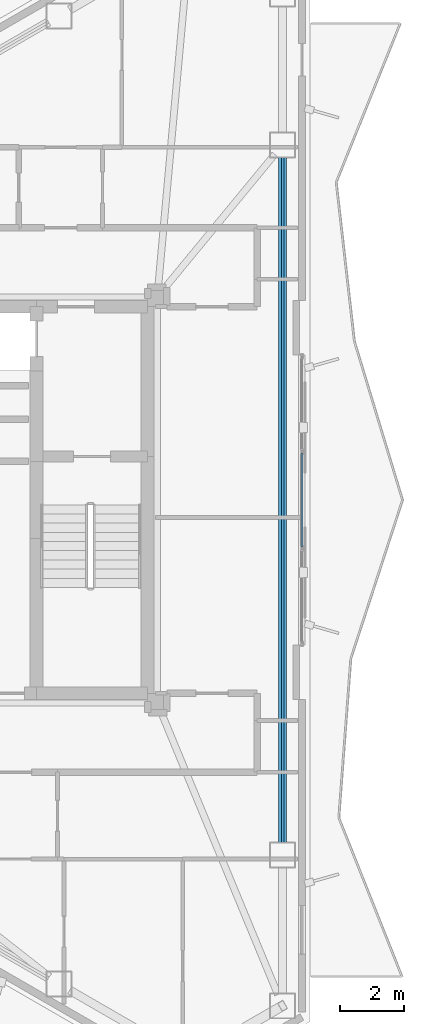
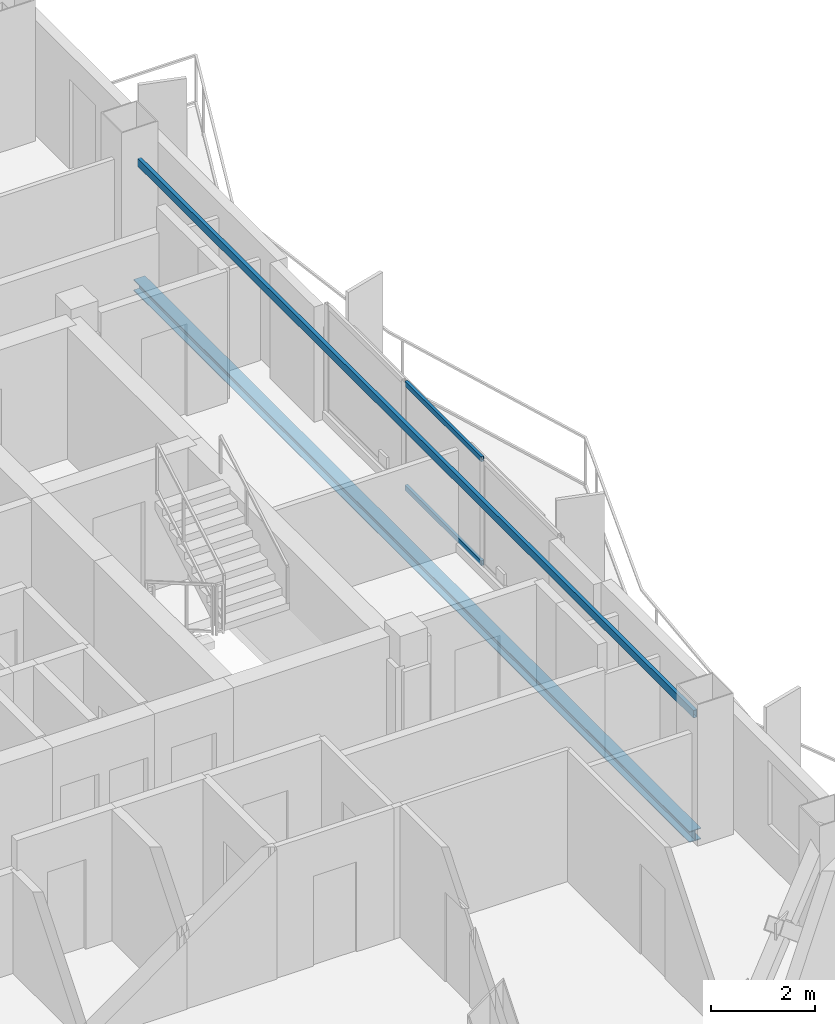
# One storey, part 12 of 22: 2 beams, 2 members, 1 element without a shape of its own.
"""IFC4 building model written with IfcOpenShell, lengths in metres."""

import ifcopenshell
import ifcopenshell.guid

model = None  # the IFC model being written
_history = None  # IfcOwnerHistory: only IFC2X3 demands one
_inside = {}  # id of a spatial element -> (the spatial element, [elements in it])
_under = {}  # id of a project, library or spatial element -> (it, [spatial elements below it])
_declared = {}  # id of a project -> (the project, [libraries it declares])
_typed = {}  # id of a type object -> (the type object, [elements of that type])
_made_of = {}  # id of a material, layer set ... -> (it, [elements and type objects made of it])


def new_model(schema):
    """Start an empty IFC model of exactly this schema.

    Asked for "IFC4X3", IfcOpenShell would pick the latest addendum, in which some entities
    have other attributes; the version numbers below select the first issue.
    IFC2X3 requires an IfcOwnerHistory on every rooted entity: one is made here for all.
    """
    global model, _history
    if schema == "IFC4X3":
        model = ifcopenshell.file(schema_version=(4, 3, 0, 0))
    else:
        model = ifcopenshell.file(schema=schema)
    _inside.clear()
    _under.clear()
    _declared.clear()
    _typed.clear()
    _made_of.clear()
    _history = None
    if model.schema == "IFC2X3":
        org = make("IfcOrganization", Name="unknown")
        user = make(
            "IfcPersonAndOrganization",
            ThePerson=make("IfcPerson", FamilyName="unknown"),
            TheOrganization=org,
        )
        app = make(
            "IfcApplication",
            ApplicationDeveloper=org,
            Version="unknown",
            ApplicationFullName="unknown",
            ApplicationIdentifier="unknown",
        )
        _history = make(
            "IfcOwnerHistory",
            OwningUser=user,
            OwningApplication=app,
            ChangeAction="ADDED",
            CreationDate=0,
        )
    return model


def make(cls, **values):
    """One entity of the class cls with the attributes given. An attribute that is None is left unset."""
    return model.create_entity(
        cls, **{name: value for name, value in values.items() if value is not None}
    )


def rooted(cls, **values):
    """An entity with a GlobalId (a new one), such as an element, a storey or a relation."""
    return make(cls, GlobalId=ifcopenshell.guid.new(), OwnerHistory=_history, **values)


def si_unit(unit_type, name, prefix=None):
    """IfcSIUnit, for example si_unit("LENGTHUNIT", "METRE", prefix="MILLI")."""
    return make("IfcSIUnit", UnitType=unit_type, Prefix=prefix, Name=name)


def assignment(units):
    """IfcUnitAssignment: the units of a project."""
    return None if units is None else make("IfcUnitAssignment", Units=units)


def point(xyz):
    """IfcCartesianPoint."""
    return None if xyz is None else make("IfcCartesianPoint", Coordinates=xyz)


def direction(xyz):
    """IfcDirection."""
    return None if xyz is None else make("IfcDirection", DirectionRatios=xyz)


def frame(location, z_axis=None, x_axis=None):
    """IfcAxis2Placement3D, a coordinate frame: its origin and axes. An axis left out is left unset."""
    return make(
        "IfcAxis2Placement3D",
        Location=point(location),
        Axis=direction(z_axis),
        RefDirection=direction(x_axis),
    )


def frame_2d(location, x_axis=None):
    """IfcAxis2Placement2D, a coordinate frame in the plane: its origin and x axis."""
    return make(
        "IfcAxis2Placement2D", Location=point(location), RefDirection=direction(x_axis)
    )


def origin():
    """The frame at (0, 0, 0) with its axes left unset."""
    return frame((0.0, 0.0, 0.0))


def origin_2d():
    """The frame at (0, 0) in the plane with its x axis left unset."""
    return frame_2d((0.0, 0.0))


def place(relative_to, where):
    """IfcLocalPlacement: puts the frame where relative to a parent placement (None: the world)."""
    return make(
        "IfcLocalPlacement", PlacementRelTo=relative_to, RelativePlacement=where
    )


def context(
    kind, dimensions, precision=None, world=None, true_north=None, identifier=None
):
    """IfcGeometricRepresentationContext, for example the 3D "Model" context."""
    return make(
        "IfcGeometricRepresentationContext",
        ContextIdentifier=identifier,
        ContextType=kind,
        CoordinateSpaceDimension=dimensions,
        Precision=precision,
        WorldCoordinateSystem=world,
        TrueNorth=true_north,
    )


def subcontext(parent, identifier, kind, view, scale=None):
    """IfcGeometricRepresentationSubContext, for example "Body" below "Model"."""
    return make(
        "IfcGeometricRepresentationSubContext",
        ContextIdentifier=identifier,
        ContextType=kind,
        ParentContext=parent,
        TargetScale=scale,
        TargetView=view,
    )


def project(units=None, contexts=None):
    """IfcProject with its units and contexts."""
    return rooted(
        "IfcProject",
        Name="project",
        RepresentationContexts=contexts,
        UnitsInContext=assignment(units),
    )


def spatial(cls, under=None, at=None, **own):
    """A site, building, storey or space (cls), placed at a placement, below another one or the project."""
    s = rooted(cls, ObjectPlacement=at, **own)
    if under is not None:
        _under.setdefault(under.id(), (under, []))[1].append(s)
    return s


def profile(cls, at=None, kind="AREA", **sizes):
    """A parametric profile (cls). Its sizes go by their IFC names, for example OverallWidth=200.0."""
    return make(cls, ProfileType=kind, Position=at, **sizes)


def hollow_rectangle(**sizes):
    """IfcRectangleHollowProfileDef."""
    return profile("IfcRectangleHollowProfileDef", **sizes)


def i_section(**sizes):
    """IfcIShapeProfileDef."""
    return profile("IfcIShapeProfileDef", **sizes)


def extrude(swept, where, along, depth):
    """IfcExtrudedAreaSolid: the profile swept, set in the frame where, extruded along a direction by depth."""
    return make(
        "IfcExtrudedAreaSolid",
        SweptArea=swept,
        Position=where,
        ExtrudedDirection=direction(along),
        Depth=depth,
    )


def shape(context_of_items, identifier, shape_type, items):
    """IfcShapeRepresentation: the items that make up one representation, for example the "Body"."""
    return make(
        "IfcShapeRepresentation",
        ContextOfItems=context_of_items,
        RepresentationIdentifier=identifier,
        RepresentationType=shape_type,
        Items=items,
    )


def material(Name=None, Category=None):
    """IfcMaterial."""
    return make("IfcMaterial", Name=Name, Category=Category)


def layer(
    of_material, thickness, ventilated=None, Name=None, Category=None, Priority=None
):
    """IfcMaterialLayer: one layer of a wall or slab, of a material (None: an air gap)."""
    return make(
        "IfcMaterialLayer",
        Material=of_material,
        LayerThickness=thickness,
        IsVentilated=ventilated,
        Name=Name,
        Category=Category,
        Priority=Priority,
    )


def layer_set(layers, Name=None):
    """IfcMaterialLayerSet."""
    return make("IfcMaterialLayerSet", MaterialLayers=layers, LayerSetName=Name)


def material_profile(
    of_material, cross_section, Name=None, Category=None, Priority=None
):
    """IfcMaterialProfile: a cross section and its material."""
    return make(
        "IfcMaterialProfile",
        Name=Name,
        Material=of_material,
        Profile=cross_section,
        Priority=Priority,
        Category=Category,
    )


def profile_set(profiles, Name=None, composite=None):
    """IfcMaterialProfileSet."""
    return make(
        "IfcMaterialProfileSet",
        Name=Name,
        MaterialProfiles=profiles,
        CompositeProfile=composite,
    )


def made_of(thing, what):
    """Note that an element or type object is made of a material, layer set ...; save() writes the relation."""
    if what is not None:
        _made_of.setdefault(what.id(), (what, []))[1].append(thing)
    return thing


def type_object(cls, material=None, **own):
    """A type object (cls), such as IfcWallType, which elements share."""
    return made_of(rooted(cls, **own), material)


def element(
    cls,
    number,
    at=None,
    inside=None,
    cuts=None,
    type_object=None,
    material=None,
    context=None,
    identifier="Body",
    shape_type=None,
    held_by="IfcProductDefinitionShape",
    body=None,
    shapes=None,
    **own,
):
    """One element of the class cls, such as IfcWall. Its Tag is "e" and its number.

    at: its placement. inside: the storey or other place that contains it. cuts: it is an
    opening in that element (IfcRelVoidsElement). A single representation is given by context,
    identifier, shape_type and body (its items); several are given by shapes. held_by: the class
    of the entity that holds the representations. save() writes the other relations.
    """
    e = rooted(cls, Tag="e%d" % number, ObjectPlacement=at, **own)
    if body is not None:
        shapes = [shape(context, identifier, shape_type, body)]
    if shapes is not None:
        e.Representation = make(held_by, Representations=shapes)
    if inside is not None:
        _inside.setdefault(inside.id(), (inside, []))[1].append(e)
    if cuts is not None:
        rooted(
            "IfcRelVoidsElement", RelatingBuildingElement=cuts, RelatedOpeningElement=e
        )
    if type_object is not None:
        _typed.setdefault(type_object.id(), (type_object, []))[1].append(e)
    return made_of(e, material)


def aggregate(whole, parts):
    """IfcRelAggregates: a whole, such as a stair, and the parts it consists of."""
    return rooted("IfcRelAggregates", RelatingObject=whole, RelatedObjects=parts)


def save(model, path):
    """Write the relations noted so far, then the file.

    IfcRelAggregates (storeys below a building ...), IfcRelContainedInSpatialStructure (elements
    in a storey), IfcRelDefinesByType, IfcRelAssociatesMaterial and IfcRelDeclares: one each for
    every whole, place, type object, material and project.
    """
    for whole, parts in _under.values():
        aggregate(whole, parts)
    for where, things in _inside.values():
        rooted(
            "IfcRelContainedInSpatialStructure",
            RelatedElements=things,
            RelatingStructure=where,
        )
    for kind, things in _typed.values():
        rooted("IfcRelDefinesByType", RelatedObjects=things, RelatingType=kind)
    for what, things in _made_of.values():
        rooted("IfcRelAssociatesMaterial", RelatedObjects=things, RelatingMaterial=what)
    for by, libraries in _declared.values():
        rooted("IfcRelDeclares", RelatingContext=by, RelatedDefinitions=libraries)
    model.write(path)


model = new_model("IFC4")

# Units and contexts
model_context = context("Model", 3, precision=1e-05, world=origin(), true_north=direction((0.0, 1.0)))
body_context = subcontext(model_context, "Body", "Model", "MODEL_VIEW")
ifc_project = project(units=[si_unit("LENGTHUNIT", "METRE"), si_unit("AREAUNIT", "SQUARE_METRE"), si_unit("VOLUMEUNIT", "CUBIC_METRE"), si_unit("PLANEANGLEUNIT", "RADIAN"), si_unit("MASSUNIT", "GRAM", prefix="KILO")], contexts=[model_context])

# Site, building, storey
site_placement = place(None, origin())
site = spatial("IfcSite", under=ifc_project, at=site_placement, CompositionType="ELEMENT")
building_placement = place(site_placement, origin())
building = spatial("IfcBuilding", under=site, at=building_placement, Name="Mersakhor Tower and Convention Hall", CompositionType="ELEMENT")
storey_placement = place(building_placement, frame((0.0, 0.0, 201.89990234375)))
storey = spatial("IfcBuildingStorey", under=building, at=storey_placement, Name="L56", CompositionType="ELEMENT", Elevation=201.89990234375)

# Beams
ifc_material_1 = material(Name="Steel S355", Category="steel")
ifc_material_profile_1 = material_profile(ifc_material_1, hollow_rectangle(XDim=0.080078125, YDim=0.179931640625, WallThickness=0.008056640625, at=origin_2d()), Name="RHS 180x80x8")
ifc_profile_set_1 = profile_set([ifc_material_profile_1], Name="Steel S355")
beam_type_1 = type_object("IfcBeamType", Name="BM-GRT-RHS180", PredefinedType="USERDEFINED", material=ifc_profile_set_1)
beam_1_placement = place(storey_placement, frame((39.98828125, 37.392822265625, 2.47998046875), z_axis=(0.0, -1.0, 0.0), x_axis=(1.0, 0.0, 0.0)))
element("IfcBeam", 1, at=beam_1_placement, inside=storey, type_object=beam_type_1, Name="L56 Facade Support Girt GRT-F2", ObjectType="GIRT", PredefinedType="USERDEFINED", context=body_context, shape_type="SweptSolid", body=[
    extrude(hollow_rectangle(XDim=0.080078125, YDim=0.179931640625, WallThickness=0.008056640625, at=origin_2d()), origin(), (0.0, 0.0, 1.0), 21.28564453125),
])
ifc_material_2 = material(Name="Steel S355", Category="steel")
ifc_material_profile_2 = material_profile(ifc_material_2, i_section(OverallWidth=0.25634765625, OverallDepth=0.26025390625, WebThickness=0.01025390625, FlangeThickness=0.017333984375, at=origin_2d()), Name="UC 254x254x89")
ifc_profile_set_2 = profile_set([ifc_material_profile_2], Name="Steel S355")
beam_type_2 = type_object("IfcBeamType", Name="BM-SPD-UC254", PredefinedType="SPANDREL", material=ifc_profile_set_2)
beam_2_placement = place(storey_placement, frame((39.98828125, 37.392822265625, -0.360107421875), z_axis=(0.0, -1.0, 0.0), x_axis=(1.0, 0.0, 0.0)))
element("IfcBeam", 2, at=beam_2_placement, inside=storey, type_object=beam_type_2, Name="L56 Perimeter Spandrel Beam SPB-06", PredefinedType="SPANDREL", context=body_context, shape_type="SweptSolid", body=[
    extrude(i_section(OverallWidth=0.25634765625, OverallDepth=0.26025390625, WebThickness=0.01025390625, FlangeThickness=0.017333984375, at=origin_2d()), origin(), (0.0, 0.0, 1.0), 21.28564453125),
])

# Curtain wall, members
ifc_material_3 = material(Name="Dark solar low-E aluminium curtain wall", Category="aluminium")
ifc_layer = layer(ifc_material_3, 0.169921875)
ifc_layer_set = layer_set([ifc_layer], Name="Dark solar low-E aluminium curtain wall")
curtain_wall_type = type_object("IfcCurtainWallType", Name="CW-SYS-02", PredefinedType="USERDEFINED", material=ifc_layer_set)
curtain_wall_placement = place(storey_placement, origin())
curtain_wall = element("IfcCurtainWall", 3, at=curtain_wall_placement, inside=storey, type_object=curtain_wall_type, Name="L56 Dark-Glass Curtain Wall F2-B2", ObjectType="CURTAIN WALL", PredefinedType="USERDEFINED")
ifc_material_4 = material(Name="Anodised aluminium EN AW-6063 T6", Category="aluminium")
ifc_material_profile_3 = material_profile(ifc_material_4, hollow_rectangle(XDim=0.06005859375, YDim=0.1201171875, WallThickness=0.0048828125, at=origin_2d()), Name="RHS 120x60x5")
ifc_profile_set_3 = profile_set([ifc_material_profile_3], Name="Anodised aluminium EN AW-6063 T6")
member_type = type_object("IfcMemberType", Name="CWT-120x60", PredefinedType="USERDEFINED", material=ifc_profile_set_3)
member_1_placement = place(storey_placement, frame((40.58837890625, 28.21240234375, 0.22998046875), z_axis=(0.0, -1.0, 0.0), x_axis=(1.0, 0.0, 0.0)))
member_1 = element("IfcMember", 4, at=member_1_placement, type_object=member_type, Name="CW-02 transom 2.1", ObjectType="TRANSOM", PredefinedType="USERDEFINED", context=body_context, shape_type="SweptSolid", body=[
    extrude(hollow_rectangle(XDim=0.06005859375, YDim=0.1201171875, WallThickness=0.0048828125, at=origin_2d()), origin(), (0.0, 0.0, 1.0), 2.9248046875),
])
member_2_placement = place(storey_placement, frame((40.58837890625, 28.21240234375, 2.66015625), z_axis=(0.0, -1.0, 0.0), x_axis=(1.0, 0.0, 0.0)))
member_2 = element("IfcMember", 5, at=member_2_placement, type_object=member_type, Name="CW-02 transom 2.2", ObjectType="TRANSOM", PredefinedType="USERDEFINED", context=body_context, shape_type="SweptSolid", body=[
    extrude(hollow_rectangle(XDim=0.06005859375, YDim=0.1201171875, WallThickness=0.0048828125, at=origin_2d()), origin(), (0.0, 0.0, 1.0), 2.9248046875),
])
aggregate(curtain_wall, [member_1, member_2])

save(model, "model.ifc")
